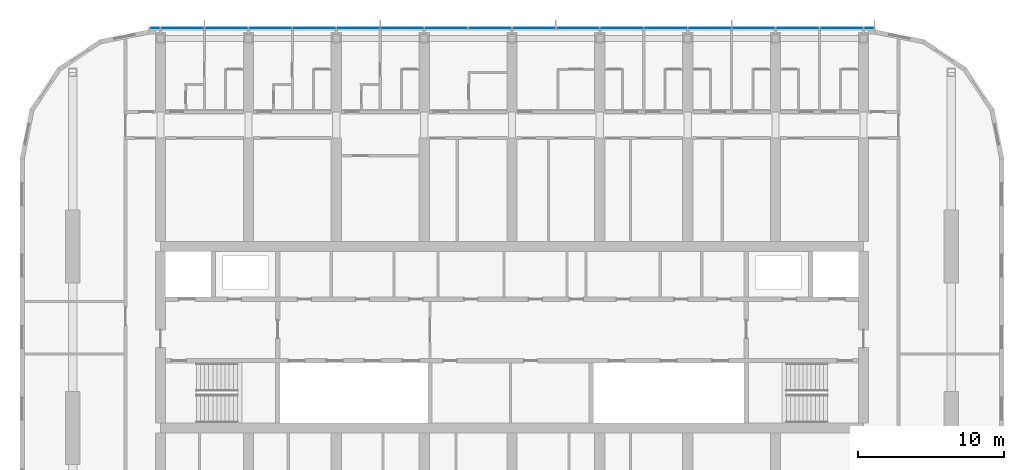
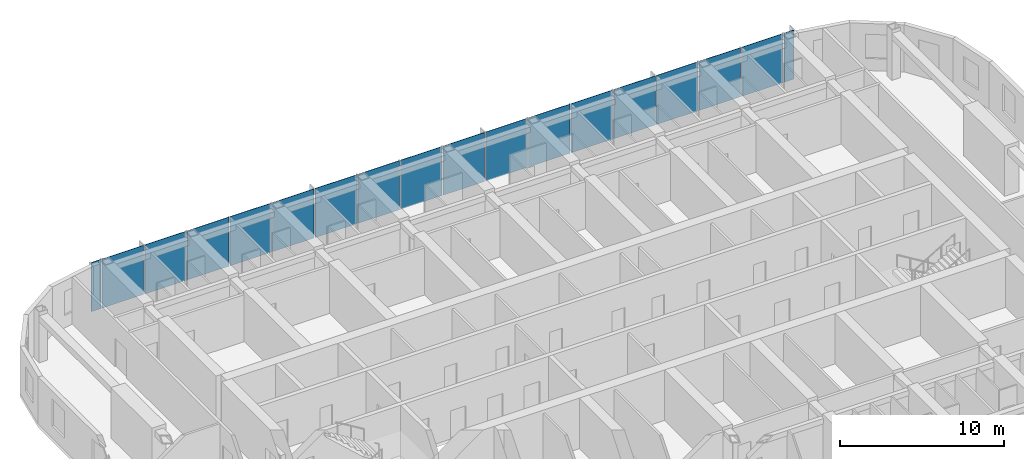
# One storey, part 9 of 24: 18 plates, 1 element without a shape of its own.
"""IFC4 building model written with IfcOpenShell, lengths in metres."""

from ifc_helpers import new_model, si_unit, direction, frame, origin, origin_2d, place, context, subcontext, project, spatial, rectangle, extrude, material, layer, layer_set, type_object, element, aggregate, save


model = new_model("IFC4")

# Units and contexts
model_context = context("Model", 3, precision=1e-05, world=origin(), true_north=direction((0.0, 1.0)))
body_context = subcontext(model_context, "Body", "Model", "MODEL_VIEW")
ifc_project = project(units=[si_unit("LENGTHUNIT", "METRE"), si_unit("AREAUNIT", "SQUARE_METRE"), si_unit("VOLUMEUNIT", "CUBIC_METRE"), si_unit("PLANEANGLEUNIT", "RADIAN"), si_unit("MASSUNIT", "GRAM", prefix="KILO")], contexts=[model_context])

# Site, building, storey
site_placement = place(None, origin())
site = spatial("IfcSite", under=ifc_project, at=site_placement, CompositionType="ELEMENT")
building_placement = place(site_placement, origin())
building = spatial("IfcBuilding", under=site, at=building_placement, Name="Orbita Commons", CompositionType="ELEMENT")
storey_placement = place(building_placement, frame((0.0, 0.0, 239.050048828125)))
storey = spatial("IfcBuildingStorey", under=building, at=storey_placement, Name="L59", CompositionType="ELEMENT", Elevation=239.050048828125)

# Curtain wall, plates
ifc_material_1 = material(Name="Anodised aluminium frame, pale silver", Category="aluminium")
curtain_wall_type = type_object("IfcCurtainWallType", Name="Unitised curtain wall CW-U, full-height vision", PredefinedType="NOTDEFINED", material=ifc_material_1)
curtain_wall_placement = place(storey_placement, origin())
curtain_wall = element("IfcCurtainWall", 1, at=curtain_wall_placement, inside=storey, type_object=curtain_wall_type, Name="Curtain wall north L59", PredefinedType="NOTDEFINED")
ifc_material_2 = material(Name="Clear double glazing", Category="glass")
ifc_layer = layer(ifc_material_2, 0.031982421875)
ifc_layer_set = layer_set([ifc_layer], Name="Clear double glazing")
plate_type = type_object("IfcPlateType", Name="Full-height vision panel, clear glazing 32", PredefinedType="CURTAIN_PANEL", material=ifc_layer_set)
plate_1_placement = place(storey_placement, frame((66.3798828125, 53.110107421875, -0.14990234375), z_axis=(0.0, 0.0, 1.0), x_axis=(-1.0, 0.0, 0.0)))
plate_1 = element("IfcPlate", 2, at=plate_1_placement, type_object=plate_type, Name="Panel 1.1 CW-L59-N", PredefinedType="CURTAIN_PANEL", context=body_context, shape_type="SweptSolid", body=[
    extrude(rectangle(XDim=0.679931640625, YDim=0.031982421875, at=origin_2d()), origin(), (0.0, 0.0, 1.0), 3.64990234375),
])
plate_2_placement = place(storey_placement, frame((64.5, 53.110107421875, -0.14990234375), z_axis=(0.0, 0.0, 1.0), x_axis=(-1.0, 0.0, 0.0)))
plate_2 = element("IfcPlate", 3, at=plate_2_placement, type_object=plate_type, Name="Panel 2.1 CW-L59-N", PredefinedType="CURTAIN_PANEL", context=body_context, shape_type="SweptSolid", body=[
    extrude(rectangle(XDim=2.919921875, YDim=0.031982421875, at=origin_2d()), origin(), (0.0, 0.0, 1.0), 3.64990234375),
])
plate_3_placement = place(storey_placement, frame((61.5, 53.110107421875, -0.14990234375), z_axis=(0.0, 0.0, 1.0), x_axis=(-1.0, 0.0, 0.0)))
plate_3 = element("IfcPlate", 4, at=plate_3_placement, type_object=plate_type, Name="Panel 3.1 CW-L59-N", PredefinedType="CURTAIN_PANEL", context=body_context, shape_type="SweptSolid", body=[
    extrude(rectangle(XDim=2.919921875, YDim=0.031982421875, at=origin_2d()), origin(), (0.0, 0.0, 1.0), 3.64990234375),
])
plate_4_placement = place(storey_placement, frame((58.5, 53.110107421875, -0.14990234375), z_axis=(0.0, 0.0, 1.0), x_axis=(-1.0, 0.0, 0.0)))
plate_4 = element("IfcPlate", 5, at=plate_4_placement, type_object=plate_type, Name="Panel 4.1 CW-L59-N", PredefinedType="CURTAIN_PANEL", context=body_context, shape_type="SweptSolid", body=[
    extrude(rectangle(XDim=2.919921875, YDim=0.031982421875, at=origin_2d()), origin(), (0.0, 0.0, 1.0), 3.64990234375),
])
plate_5_placement = place(storey_placement, frame((55.5, 53.110107421875, -0.14990234375), z_axis=(0.0, 0.0, 1.0), x_axis=(-1.0, 0.0, 0.0)))
plate_5 = element("IfcPlate", 6, at=plate_5_placement, type_object=plate_type, Name="Panel 5.1 CW-L59-N", PredefinedType="CURTAIN_PANEL", context=body_context, shape_type="SweptSolid", body=[
    extrude(rectangle(XDim=2.919921875, YDim=0.031982421875, at=origin_2d()), origin(), (0.0, 0.0, 1.0), 3.64990234375),
])
plate_6_placement = place(storey_placement, frame((52.5, 53.110107421875, -0.14990234375), z_axis=(0.0, 0.0, 1.0), x_axis=(-1.0, 0.0, 0.0)))
plate_6 = element("IfcPlate", 7, at=plate_6_placement, type_object=plate_type, Name="Panel 6.1 CW-L59-N", PredefinedType="CURTAIN_PANEL", context=body_context, shape_type="SweptSolid", body=[
    extrude(rectangle(XDim=2.919921875, YDim=0.031982421875, at=origin_2d()), origin(), (0.0, 0.0, 1.0), 3.64990234375),
])
plate_7_placement = place(storey_placement, frame((49.5, 53.110107421875, -0.14990234375), z_axis=(0.0, 0.0, 1.0), x_axis=(-1.0, 0.0, 0.0)))
plate_7 = element("IfcPlate", 8, at=plate_7_placement, type_object=plate_type, Name="Panel 7.1 CW-L59-N", PredefinedType="CURTAIN_PANEL", context=body_context, shape_type="SweptSolid", body=[
    extrude(rectangle(XDim=2.919921875, YDim=0.031982421875, at=origin_2d()), origin(), (0.0, 0.0, 1.0), 3.64990234375),
])
plate_8_placement = place(storey_placement, frame((46.5, 53.110107421875, -0.14990234375), z_axis=(0.0, 0.0, 1.0), x_axis=(-1.0, 0.0, 0.0)))
plate_8 = element("IfcPlate", 9, at=plate_8_placement, type_object=plate_type, Name="Panel 8.1 CW-L59-N", PredefinedType="CURTAIN_PANEL", context=body_context, shape_type="SweptSolid", body=[
    extrude(rectangle(XDim=2.919921875, YDim=0.031982421875, at=origin_2d()), origin(), (0.0, 0.0, 1.0), 3.64990234375),
])
plate_9_placement = place(storey_placement, frame((43.5, 53.110107421875, -0.14990234375), z_axis=(0.0, 0.0, 1.0), x_axis=(-1.0, 0.0, 0.0)))
plate_9 = element("IfcPlate", 10, at=plate_9_placement, type_object=plate_type, Name="Panel 9.1 CW-L59-N", PredefinedType="CURTAIN_PANEL", context=body_context, shape_type="SweptSolid", body=[
    extrude(rectangle(XDim=2.919921875, YDim=0.031982421875, at=origin_2d()), origin(), (0.0, 0.0, 1.0), 3.64990234375),
])
plate_10_placement = place(storey_placement, frame((40.5, 53.110107421875, -0.14990234375), z_axis=(0.0, 0.0, 1.0), x_axis=(-1.0, 0.0, 0.0)))
plate_10 = element("IfcPlate", 11, at=plate_10_placement, type_object=plate_type, Name="Panel 10.1 CW-L59-N", PredefinedType="CURTAIN_PANEL", context=body_context, shape_type="SweptSolid", body=[
    extrude(rectangle(XDim=2.919921875, YDim=0.031982421875, at=origin_2d()), origin(), (0.0, 0.0, 1.0), 3.64990234375),
])
plate_11_placement = place(storey_placement, frame((37.5, 53.110107421875, -0.14990234375), z_axis=(0.0, 0.0, 1.0), x_axis=(-1.0, 0.0, 0.0)))
plate_11 = element("IfcPlate", 12, at=plate_11_placement, type_object=plate_type, Name="Panel 11.1 CW-L59-N", PredefinedType="CURTAIN_PANEL", context=body_context, shape_type="SweptSolid", body=[
    extrude(rectangle(XDim=2.919921875, YDim=0.031982421875, at=origin_2d()), origin(), (0.0, 0.0, 1.0), 3.64990234375),
])
plate_12_placement = place(storey_placement, frame((34.5, 53.110107421875, -0.14990234375), z_axis=(0.0, 0.0, 1.0), x_axis=(-1.0, 0.0, 0.0)))
plate_12 = element("IfcPlate", 13, at=plate_12_placement, type_object=plate_type, Name="Panel 12.1 CW-L59-N", PredefinedType="CURTAIN_PANEL", context=body_context, shape_type="SweptSolid", body=[
    extrude(rectangle(XDim=2.919921875, YDim=0.031982421875, at=origin_2d()), origin(), (0.0, 0.0, 1.0), 3.64990234375),
])
plate_13_placement = place(storey_placement, frame((31.5, 53.110107421875, -0.14990234375), z_axis=(0.0, 0.0, 1.0), x_axis=(-1.0, 0.0, 0.0)))
plate_13 = element("IfcPlate", 14, at=plate_13_placement, type_object=plate_type, Name="Panel 13.1 CW-L59-N", PredefinedType="CURTAIN_PANEL", context=body_context, shape_type="SweptSolid", body=[
    extrude(rectangle(XDim=2.919921875, YDim=0.031982421875, at=origin_2d()), origin(), (0.0, 0.0, 1.0), 3.64990234375),
])
plate_14_placement = place(storey_placement, frame((28.5, 53.110107421875, -0.14990234375), z_axis=(0.0, 0.0, 1.0), x_axis=(-1.0, 0.0, 0.0)))
plate_14 = element("IfcPlate", 15, at=plate_14_placement, type_object=plate_type, Name="Panel 14.1 CW-L59-N", PredefinedType="CURTAIN_PANEL", context=body_context, shape_type="SweptSolid", body=[
    extrude(rectangle(XDim=2.919921875, YDim=0.031982421875, at=origin_2d()), origin(), (0.0, 0.0, 1.0), 3.64990234375),
])
plate_15_placement = place(storey_placement, frame((25.5, 53.110107421875, -0.14990234375), z_axis=(0.0, 0.0, 1.0), x_axis=(-1.0, 0.0, 0.0)))
plate_15 = element("IfcPlate", 16, at=plate_15_placement, type_object=plate_type, Name="Panel 15.1 CW-L59-N", PredefinedType="CURTAIN_PANEL", context=body_context, shape_type="SweptSolid", body=[
    extrude(rectangle(XDim=2.919921875, YDim=0.031982421875, at=origin_2d()), origin(), (0.0, 0.0, 1.0), 3.64990234375),
])
plate_16_placement = place(storey_placement, frame((22.5, 53.110107421875, -0.14990234375), z_axis=(0.0, 0.0, 1.0), x_axis=(-1.0, 0.0, 0.0)))
plate_16 = element("IfcPlate", 17, at=plate_16_placement, type_object=plate_type, Name="Panel 16.1 CW-L59-N", PredefinedType="CURTAIN_PANEL", context=body_context, shape_type="SweptSolid", body=[
    extrude(rectangle(XDim=2.919921875, YDim=0.031982421875, at=origin_2d()), origin(), (0.0, 0.0, 1.0), 3.64990234375),
])
plate_17_placement = place(storey_placement, frame((19.5, 53.110107421875, -0.14990234375), z_axis=(0.0, 0.0, 1.0), x_axis=(-1.0, 0.0, 0.0)))
plate_17 = element("IfcPlate", 18, at=plate_17_placement, type_object=plate_type, Name="Panel 17.1 CW-L59-N", PredefinedType="CURTAIN_PANEL", context=body_context, shape_type="SweptSolid", body=[
    extrude(rectangle(XDim=2.919921875, YDim=0.031982421875, at=origin_2d()), origin(), (0.0, 0.0, 1.0), 3.64990234375),
])
plate_18_placement = place(storey_placement, frame((17.6201171875, 53.110107421875, -0.14990234375), z_axis=(0.0, 0.0, 1.0), x_axis=(-1.0, 0.0, 0.0)))
plate_18 = element("IfcPlate", 19, at=plate_18_placement, type_object=plate_type, Name="Panel 18.1 CW-L59-N", PredefinedType="CURTAIN_PANEL", context=body_context, shape_type="SweptSolid", body=[
    extrude(rectangle(XDim=0.679931640625, YDim=0.031982421875, at=origin_2d()), origin(), (0.0, 0.0, 1.0), 3.64990234375),
])
aggregate(curtain_wall, [plate_1, plate_2, plate_3, plate_4, plate_5, plate_6, plate_7, plate_8, plate_9, plate_10, plate_11, plate_12, plate_13, plate_14, plate_15, plate_16, plate_17, plate_18])

save(model, "model.ifc")
